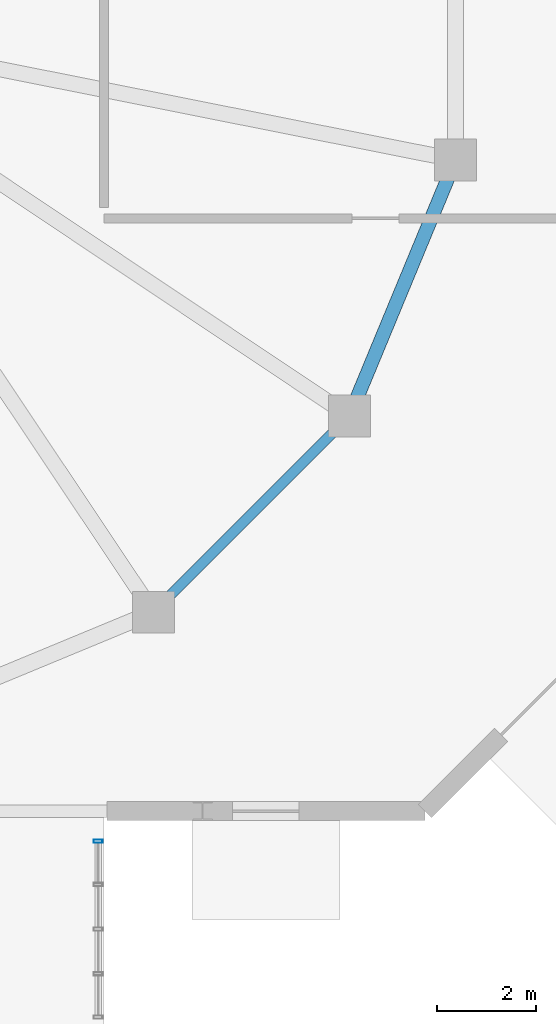
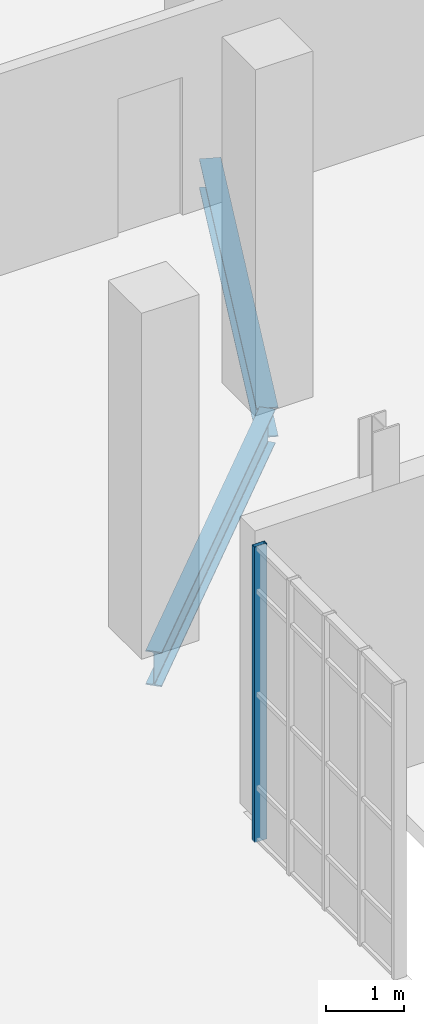
# One storey, part 40 of 189: 2 beams, 1 member, 1 element without a shape of its own.
"""IFC4 building model written with IfcOpenShell, lengths in metres."""

from ifc_helpers import new_model, si_unit, direction, frame, origin, origin_2d, place, context, subcontext, project, spatial, hollow_rectangle, i_section, extrude, material, layer, layer_set, material_profile, profile_set, type_object, element, aggregate, save


model = new_model("IFC4")

# Units and contexts
model_context = context("Model", 3, precision=1e-05, world=origin(), true_north=direction((0.0, 1.0)))
body_context = subcontext(model_context, "Body", "Model", "MODEL_VIEW")
ifc_project = project(units=[si_unit("LENGTHUNIT", "METRE"), si_unit("AREAUNIT", "SQUARE_METRE"), si_unit("VOLUMEUNIT", "CUBIC_METRE"), si_unit("PLANEANGLEUNIT", "RADIAN"), si_unit("MASSUNIT", "GRAM", prefix="KILO"), si_unit("THERMODYNAMICTEMPERATUREUNIT", "KELVIN"), si_unit("POWERUNIT", "WATT")], contexts=[model_context])

# Site, building, storey
site_placement = place(None, origin())
site = spatial("IfcSite", under=ifc_project, at=site_placement, CompositionType="ELEMENT")
building_placement = place(site_placement, origin())
building = spatial("IfcBuilding", under=site, at=building_placement, Name="Zelmaris Science Centre", CompositionType="ELEMENT")
storey_placement = place(building_placement, origin())
storey = spatial("IfcBuildingStorey", under=building, at=storey_placement, Name="L00", CompositionType="ELEMENT", Elevation=0.0)

# Curtain wall, member
ifc_material_1 = material(Name="Anodised architectural aluminium 6063-T6", Category="aluminium")
ifc_layer = layer(ifc_material_1, 0.2099609375, Name="Anodised architectural aluminium 6063-T6")
ifc_layer_set = layer_set([ifc_layer], Name="Anodised architectural aluminium 6063-T6")
curtain_wall_type = type_object("IfcCurtainWallType", Name="Curtain Wall CW-03", PredefinedType="USERDEFINED", material=ifc_layer_set)
curtain_wall_placement = place(storey_placement, origin())
curtain_wall = element("IfcCurtainWall", 1, at=curtain_wall_placement, inside=storey, type_object=curtain_wall_type, Name="L00 Unitised curtain wall 39", ObjectType="GLAZED CURTAIN WALL", PredefinedType="USERDEFINED")
ifc_material_profile_1 = material_profile(ifc_material_1, hollow_rectangle(XDim=0.06494140625, YDim=0.179931640625, WallThickness=0.00390625, at=origin_2d()), Name="ALU-MUL-65X180")
ifc_profile_set_1 = profile_set([ifc_material_profile_1], Name="Anodised architectural aluminium 6063-T6")
member_type = type_object("IfcMemberType", Name="ALU-MUL-65X180", PredefinedType="MULLION", material=ifc_profile_set_1)
member_placement = place(storey_placement, frame((33.883056640625, 55.388916015625, -0.014892578125), z_axis=(0.0, 0.0, 1.0), x_axis=(0.000692895658, -0.999999759948, 0.0)))
member = element("IfcMember", 2, at=member_placement, type_object=member_type, Name="CW-03 mullion 1", PredefinedType="MULLION", context=body_context, shape_type="SweptSolid", body=[
    extrude(hollow_rectangle(XDim=0.06494140625, YDim=0.179931640625, WallThickness=0.00390625, at=origin_2d()), origin(), (0.0, 0.0, 1.0), 4.614990234375),
])
aggregate(curtain_wall, [member])

# Beams
ifc_material_2 = material(Name="Steel ASTM A992 Grade 50", Category="steel")
ifc_material_profile_2 = material_profile(ifc_material_2, i_section(OverallWidth=0.2109375, OverallDepth=0.5380859375, WebThickness=0.01171875, FlangeThickness=0.018798828125, FilletRadius=0.013916015625, at=origin_2d()), Name="W21X73")
ifc_profile_set_2 = profile_set([ifc_material_profile_2], Name="Steel ASTM A992 Grade 50")
beam_type_1 = type_object("IfcBeamType", Name="Beam SP-02 W21X73", PredefinedType="SPANDREL", material=ifc_profile_set_2)
beam_1_placement = place(storey_placement, frame((35.000244140625, 60.02685546875, -0.549072265625), z_axis=(0.707106781187, 0.707106781187, 0.0), x_axis=(-0.707106781187, 0.707106781187, 0.0)))
element("IfcBeam", 3, at=beam_1_placement, inside=storey, type_object=beam_type_1, Name="L00 Planetarium drum ring beam 14", PredefinedType="SPANDREL", context=body_context, shape_type="SweptSolid", body=[
    extrude(i_section(OverallWidth=0.2109375, OverallDepth=0.5380859375, WebThickness=0.01171875, FlangeThickness=0.018798828125, FilletRadius=0.013916015625, at=origin_2d()), origin(), (0.0, 0.0, 1.0), 5.618408203125),
])
ifc_material_profile_3 = material_profile(ifc_material_2, i_section(OverallWidth=0.279052734375, OverallDepth=0.4619140625, WebThickness=0.0107421875, FlangeThickness=0.017333984375, FilletRadius=0.012939453125, at=origin_2d()), Name="W18X76")
ifc_profile_set_3 = profile_set([ifc_material_profile_3], Name="Steel ASTM A992 Grade 50")
beam_type_2 = type_object("IfcBeamType", Name="Beam SP-03 W18X76", PredefinedType="SPANDREL", material=ifc_profile_set_3)
beam_2_placement = place(storey_placement, frame((38.97314453125, 63.999755859375, -0.510986328125), z_axis=(0.38268310735, 0.923879667137, 0.0), x_axis=(-0.923879667137, 0.38268310735, 0.0)))
element("IfcBeam", 4, at=beam_2_placement, inside=storey, type_object=beam_type_2, Name="L00 Planetarium drum ring beam 15", PredefinedType="SPANDREL", context=body_context, shape_type="SweptSolid", body=[
    extrude(i_section(OverallWidth=0.279052734375, OverallDepth=0.4619140625, WebThickness=0.0107421875, FlangeThickness=0.017333984375, FilletRadius=0.012939453125, at=origin_2d()), origin(), (0.0, 0.0, 1.0), 5.61865234375),
])

save(model, "model.ifc")
